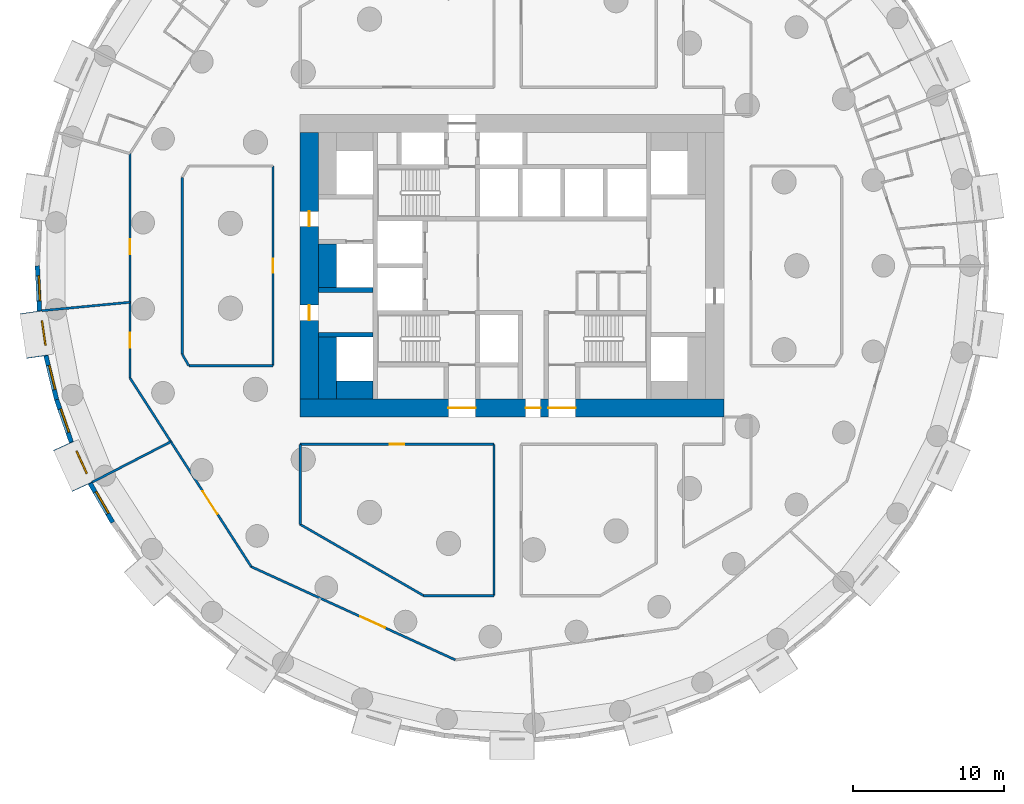
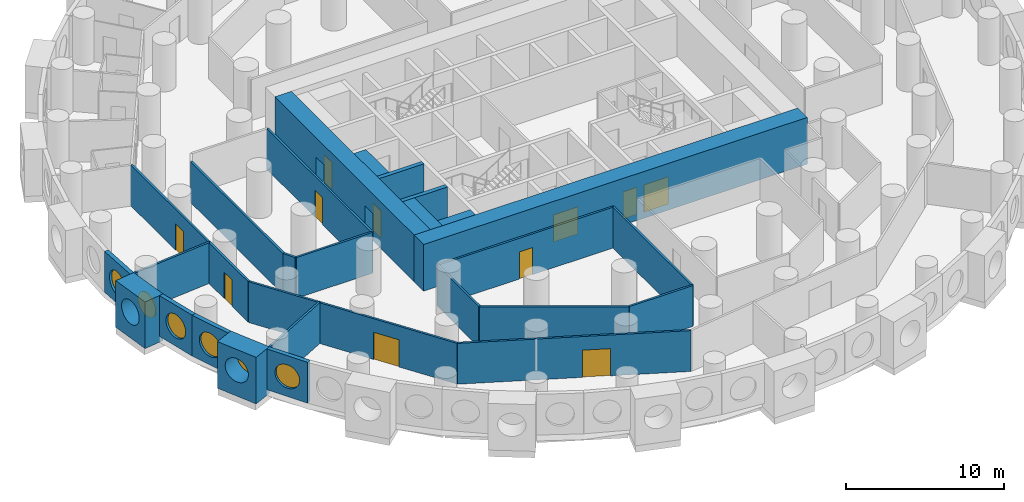
# One storey, part 3 of 12: 27 walls, 11 doors, 6 windows, 17 openings.
"""IFC4 building model written with IfcOpenShell, lengths in metres."""

from ifc_helpers import new_model, si_unit, direction, frame, frame_2d, origin, origin_2d, place, context, subcontext, project, spatial, rectangle, circle, extrude, material, layer, layer_set, type_object, element, fill, save


model = new_model("IFC4")

# Units and contexts
model_context = context("Model", 3, precision=1e-05, world=origin(), true_north=direction((0.0, 1.0)))
body_context = subcontext(model_context, "Body", "Model", "MODEL_VIEW")
ifc_project = project(units=[si_unit("LENGTHUNIT", "METRE"), si_unit("AREAUNIT", "SQUARE_METRE"), si_unit("VOLUMEUNIT", "CUBIC_METRE"), si_unit("PLANEANGLEUNIT", "RADIAN"), si_unit("MASSUNIT", "GRAM", prefix="KILO")], contexts=[model_context])

# Site, building, storey
site_placement = place(None, origin())
site = spatial("IfcSite", under=ifc_project, at=site_placement, CompositionType="ELEMENT")
building_placement = place(site_placement, origin())
building = spatial("IfcBuilding", under=site, at=building_placement, Name="Tracery Tower", CompositionType="ELEMENT")
storey_placement = place(building_placement, frame((0.0, 0.0, 46.199951171875)))
storey = spatial("IfcBuildingStorey", under=building, at=storey_placement, Name="L10", CompositionType="ELEMENT", Elevation=46.199951171875)

# Walls
ifc_material_1 = material(Name="Concrete C60/75", Category="concrete")
ifc_layer_1 = layer(ifc_material_1, 1.199951171875)
ifc_layer_set_1 = layer_set([ifc_layer_1], Name="Core strip wall 1200 C60")
wall_type_1 = type_object("IfcWallType", Name="Core strip wall 1200 C60", PredefinedType="SOLIDWALL", material=ifc_layer_set_1)
wall_1_placement = place(storey_placement, frame((-12.199951171875, -8.800048828125, 0.0), z_axis=(0.0, 0.0, 1.0), x_axis=(0.0, 1.0, 0.0)))
element("IfcWall", 1, at=wall_1_placement, inside=storey, type_object=wall_type_1, Name="L10 wing strip -1 -9.4", PredefinedType="SOLIDWALL", context=body_context, shape_type="SweptSolid", body=[
    extrude(rectangle(XDim=4.10009765625, YDim=1.199951171875, at=frame_2d((2.050048828125, 0.0))), origin(), (0.0, 0.0, 1.0), 3.150146484375),
])
wall_2_placement = place(storey_placement, frame((-12.199951171875, -1.449951171875, 0.0), z_axis=(0.0, 0.0, 1.0), x_axis=(0.0, 1.0, 0.0)))
element("IfcWall", 2, at=wall_2_placement, inside=storey, type_object=wall_type_1, Name="L10 wing strip -1 -1.6", PredefinedType="SOLIDWALL", context=body_context, shape_type="SweptSolid", body=[
    extrude(rectangle(XDim=2.89990234375, YDim=1.199951171875, at=frame_2d((1.449951171875, 0.0))), origin(), (0.0, 0.0, 1.0), 3.150146484375),
])
wall_3_placement = place(storey_placement, frame((-11.60009765625, -8.199951171875, 0.0), z_axis=(0.0, 0.0, 1.0), x_axis=(1.0, 0.0, 0.0)))
element("IfcWall", 3, at=wall_3_placement, inside=storey, type_object=wall_type_1, Name="L10 wing corner -1 -8.2", PredefinedType="SOLIDWALL", context=body_context, shape_type="SweptSolid", body=[
    extrude(rectangle(XDim=2.400146484375, YDim=1.199951171875, at=frame_2d((1.2001953125, 0.0))), origin(), (0.0, 0.0, 1.0), 3.150146484375),
])

# Wall, openings, doors
ifc_material_2 = material(Name="Concrete C60/75", Category="concrete")
ifc_layer_2 = layer(ifc_material_2, 1.199951171875)
ifc_layer_set_2 = layer_set([ifc_layer_2], Name="Core wall 1200 C60")
wall_type_2 = type_object("IfcWallType", Name="Core wall 1200 C60", PredefinedType="SOLIDWALL", material=ifc_layer_set_2)
wall_4_placement = place(storey_placement, frame((-14.0, -9.39990234375, 0.0), z_axis=(0.0, 0.0, 1.0), x_axis=(1.0, 0.0, 0.0)))
wall_4 = element("IfcWall", 4, at=wall_4_placement, inside=storey, type_object=wall_type_2, Name="L10 outer S", PredefinedType="SOLIDWALL", context=body_context, shape_type="SweptSolid", body=[
    extrude(rectangle(XDim=28.0, YDim=1.199951171875, at=frame_2d((14.0, 0.0))), origin(), (0.0, 0.0, 1.0), 3.60009765625),
])
opening_1_placement = place(wall_4_placement, frame((14.89990234375, 0.0, 0.0)))
opening_1 = element("IfcOpeningElement", 5, at=opening_1_placement, cuts=wall_4, Name="Opening KD16", PredefinedType="OPENING", context=body_context, shape_type="SweptSolid", body=[
    extrude(rectangle(XDim=1.0, YDim=2.10009765625, at=frame_2d((0.5, 1.050048828125))), frame((0.0, 0.60009765625, 0.0), z_axis=(0.0, -1.0, 0.0), x_axis=(1.0, 0.0, 0.0)), (0.0, 0.0, 1.0), 1.199951171875),
])
opening_2_placement = place(wall_4_placement, frame((9.800048828125, 0.0, 0.0)))
opening_2 = element("IfcOpeningElement", 6, at=opening_2_placement, cuts=wall_4, Name="Opening KD13", PredefinedType="OPENING", context=body_context, shape_type="SweptSolid", body=[
    extrude(rectangle(XDim=1.800048828125, YDim=2.10009765625, at=frame_2d((0.89990234375, 1.050048828125))), frame((0.0, 0.60009765625, 0.0), z_axis=(0.0, -1.0, 0.0), x_axis=(1.0, 0.0, 0.0)), (0.0, 0.0, 1.0), 1.199951171875),
])
opening_3_placement = place(wall_4_placement, frame((16.39990234375, 0.0, 0.0)))
opening_3 = element("IfcOpeningElement", 7, at=opening_3_placement, cuts=wall_4, Name="Opening KD13", PredefinedType="OPENING", context=body_context, shape_type="SweptSolid", body=[
    extrude(rectangle(XDim=1.800048828125, YDim=2.10009765625, at=frame_2d((0.89990234375, 1.050048828125))), frame((0.0, 0.60009765625, 0.0), z_axis=(0.0, -1.0, 0.0), x_axis=(1.0, 0.0, 0.0)), (0.0, 0.0, 1.0), 1.199951171875),
])
ifc_material_3 = material(Name="Steel fire door", Category="steel")
door_type_1 = type_object("IfcDoorType", Name="Core exit door 1000", OperationType="NOTDEFINED", PredefinedType="DOOR", material=ifc_material_3)
door_1_placement = place(opening_1_placement, origin())
door_1 = element("IfcDoor", 8, at=door_1_placement, inside=storey, type_object=door_type_1, Name="Core exit door", OperationType="SINGLE_SWING_LEFT", OverallHeight=2.10009765625, OverallWidth=1.0, PredefinedType="DOOR", context=body_context, shape_type="SweptSolid", body=[
    extrude(rectangle(XDim=1.0, YDim=2.10009765625, at=frame_2d((0.5, 1.050048828125))), frame((0.0, 0.02490234375, 0.0), z_axis=(0.0, -1.0, 0.0), x_axis=(1.0, 0.0, 0.0)), (0.0, 0.0, 1.0), 0.050048828125),
])
fill(opening_1, door_1)
ifc_material_4 = material(Name="Steel fire door", Category="steel")
door_type_2 = type_object("IfcDoorType", Name="Core exit door 1800 double", OperationType="NOTDEFINED", PredefinedType="DOOR", material=ifc_material_4)
door_2_placement = place(opening_2_placement, origin())
door_2 = element("IfcDoor", 9, at=door_2_placement, inside=storey, type_object=door_type_2, Name="Core exit door", OperationType="DOUBLE_DOOR_SINGLE_SWING", OverallHeight=2.10009765625, OverallWidth=1.800048828125, PredefinedType="DOOR", context=body_context, shape_type="SweptSolid", body=[
    extrude(rectangle(XDim=1.800048828125, YDim=2.10009765625, at=frame_2d((0.89990234375, 1.050048828125))), frame((0.0, 0.02490234375, 0.0), z_axis=(0.0, -1.0, 0.0), x_axis=(1.0, 0.0, 0.0)), (0.0, 0.0, 1.0), 0.050048828125),
])
fill(opening_2, door_2)
door_3_placement = place(opening_3_placement, origin())
door_3 = element("IfcDoor", 10, at=door_3_placement, inside=storey, type_object=door_type_2, Name="Core exit door", OperationType="DOUBLE_DOOR_SINGLE_SWING", OverallHeight=2.10009765625, OverallWidth=1.800048828125, PredefinedType="DOOR", context=body_context, shape_type="SweptSolid", body=[
    extrude(rectangle(XDim=1.800048828125, YDim=2.10009765625, at=frame_2d((0.89990234375, 1.050048828125))), frame((0.0, 0.02490234375, 0.0), z_axis=(0.0, -1.0, 0.0), x_axis=(1.0, 0.0, 0.0)), (0.0, 0.0, 1.0), 0.050048828125),
])
fill(opening_3, door_3)

wall_5_placement = place(storey_placement, frame((-13.39990234375, -8.800048828125, 0.0), z_axis=(0.0, 0.0, 1.0), x_axis=(0.0, 1.0, 0.0)))
wall_5 = element("IfcWall", 11, at=wall_5_placement, inside=storey, type_object=wall_type_2, Name="L10 outer W", PredefinedType="SOLIDWALL", context=body_context, shape_type="SweptSolid", body=[
    extrude(rectangle(XDim=17.60009765625, YDim=1.199951171875, at=frame_2d((8.800048828125, 0.0))), origin(), (0.0, 0.0, 1.0), 3.60009765625),
])
opening_4_placement = place(wall_5_placement, frame((5.199951171875, 0.0, 0.0)))
opening_4 = element("IfcOpeningElement", 12, at=opening_4_placement, cuts=wall_5, Name="Opening KD18", PredefinedType="OPENING", context=body_context, shape_type="SweptSolid", body=[
    extrude(rectangle(XDim=1.0, YDim=2.10009765625, at=frame_2d((0.5, 1.050048828125))), frame((0.0, 0.60009765625, 0.0), z_axis=(0.0, -1.0, 0.0), x_axis=(1.0, 0.0, 0.0)), (0.0, 0.0, 1.0), 1.199951171875),
])
opening_5_placement = place(wall_5_placement, frame((11.39990234375, 0.0, 0.0)))
opening_5 = element("IfcOpeningElement", 13, at=opening_5_placement, cuts=wall_5, Name="Opening KD18", PredefinedType="OPENING", context=body_context, shape_type="SweptSolid", body=[
    extrude(rectangle(XDim=1.0, YDim=2.10009765625, at=frame_2d((0.5, 1.050048828125))), frame((0.0, 0.60009765625, 0.0), z_axis=(0.0, -1.0, 0.0), x_axis=(1.0, 0.0, 0.0)), (0.0, 0.0, 1.0), 1.199951171875),
])
door_4_placement = place(opening_4_placement, origin())
door_4 = element("IfcDoor", 14, at=door_4_placement, inside=storey, type_object=door_type_1, Name="Core exit door", OperationType="DOUBLE_DOOR_SINGLE_SWING", OverallHeight=2.10009765625, OverallWidth=1.0, PredefinedType="DOOR", context=body_context, shape_type="SweptSolid", body=[
    extrude(rectangle(XDim=1.0, YDim=2.10009765625, at=frame_2d((0.5, 1.050048828125))), frame((0.0, 0.02490234375, 0.0), z_axis=(0.0, -1.0, 0.0), x_axis=(1.0, 0.0, 0.0)), (0.0, 0.0, 1.0), 0.050048828125),
])
fill(opening_4, door_4)
door_5_placement = place(opening_5_placement, origin())
door_5 = element("IfcDoor", 15, at=door_5_placement, inside=storey, type_object=door_type_1, Name="Core exit door", OperationType="DOUBLE_DOOR_SINGLE_SWING", OverallHeight=2.10009765625, OverallWidth=1.0, PredefinedType="DOOR", context=body_context, shape_type="SweptSolid", body=[
    extrude(rectangle(XDim=1.0, YDim=2.10009765625, at=frame_2d((0.5, 1.050048828125))), frame((0.0, 0.02490234375, 0.0), z_axis=(0.0, -1.0, 0.0), x_axis=(1.0, 0.0, 0.0)), (0.0, 0.0, 1.0), 0.050048828125),
])
fill(opening_5, door_5)

# Wall, opening, window
ifc_material_5 = material(Name="Precast concrete C50/60", Category="concrete")
ifc_layer_3 = layer(ifc_material_5, 1.449951171875)
ifc_layer_set_3 = layer_set([ifc_layer_3], Name="Deep-set bay unit 3000 x 3600, slab edge 450")
wall_type_3 = type_object("IfcWallType", Name="Deep-set bay unit 3000 x 3600, slab edge 450", PredefinedType="ELEMENTEDWALL", material=ifc_layer_set_3)
wall_6_placement = place(storey_placement, frame((-31.802490234375, -3.05712890625, -0.449951171875), z_axis=(0.0, 0.0, 1.0), x_axis=(0.142332746704, -0.989818866872, 0.0)))
wall_6 = element("IfcWall", 16, at=wall_6_placement, inside=storey, type_object=wall_type_3, Name="Deep-set bay unit 35 at L10", PredefinedType="ELEMENTEDWALL", context=body_context, shape_type="SweptSolid", body=[
    extrude(rectangle(XDim=3.0, YDim=1.449951171875, at=frame_2d((1.5, 0.0))), origin(), (0.0, 0.0, 1.0), 3.60009765625),
])
opening_6_placement = place(wall_6_placement, frame((1.5, 0.0, 2.0)))
opening_6 = element("IfcOpeningElement", 17, at=opening_6_placement, cuts=wall_6, Name="Opening WN1", PredefinedType="OPENING", context=body_context, shape_type="SweptSolid", body=[
    extrude(circle(Radius=0.9000244140625, at=origin_2d()), frame((0.0, 0.73486328125, 0.0), z_axis=(0.0, -1.0, 0.0), x_axis=(1.0, 0.0, 0.0)), (0.0, 0.0, 1.0), 1.469970703125),
])
ifc_material_6 = material(Name="Aluminium frame with tinted double glazing", Category="aluminium")
window_type = type_object("IfcWindowType", Name="Round window 1800", PartitioningType="SINGLE_PANEL", PredefinedType="WINDOW", material=ifc_material_6)
window_1_placement = place(opening_6_placement, origin())
window_1 = element("IfcWindow", 18, at=window_1_placement, inside=storey, type_object=window_type, Name="Round window 35 at L10", OverallHeight=1.800048828125, OverallWidth=1.800048828125, PartitioningType="SINGLE_PANEL", PredefinedType="WINDOW", context=body_context, shape_type="SweptSolid", body=[
    extrude(circle(Radius=0.9000244140625, at=origin_2d()), frame((0.0, 0.69482421875, 0.0), z_axis=(0.0, -1.0, 0.0), x_axis=(1.0, 0.0, 0.0)), (0.0, 0.0, 1.0), 0.10009765625),
])
fill(opening_6, window_1)

wall_7_placement = place(storey_placement, frame((-29.653076171875, -11.89306640625, -0.449951171875), z_axis=(0.0, 0.0, 1.0), x_axis=(0.415427028395, -0.909626508012, 0.0)))
wall_7 = element("IfcWall", 19, at=wall_7_placement, inside=storey, type_object=wall_type_3, Name="Deep-set bay unit 38 at L10", PredefinedType="ELEMENTEDWALL", context=body_context, shape_type="SweptSolid", body=[
    extrude(rectangle(XDim=3.000244140625, YDim=1.449951171875, at=frame_2d((1.5, 0.0))), origin(), (0.0, 0.0, 1.0), 3.60009765625),
])
opening_7_placement = place(wall_7_placement, frame((1.5, 0.0, 2.0)))
opening_7 = element("IfcOpeningElement", 20, at=opening_7_placement, cuts=wall_7, Name="Opening WN1", PredefinedType="OPENING", context=body_context, shape_type="SweptSolid", body=[
    extrude(circle(Radius=0.9000244140625, at=origin_2d()), frame((0.0, 0.73486328125, 0.0), z_axis=(0.0, -1.0, 0.0), x_axis=(1.0, 0.0, 0.0)), (0.0, 0.0, 1.0), 1.469970703125),
])
window_2_placement = place(opening_7_placement, origin())
window_2 = element("IfcWindow", 21, at=window_2_placement, inside=storey, type_object=window_type, Name="Round window 38 at L10", OverallHeight=1.800048828125, OverallWidth=1.800048828125, PartitioningType="SINGLE_PANEL", PredefinedType="WINDOW", context=body_context, shape_type="SweptSolid", body=[
    extrude(circle(Radius=0.9000244140625, at=origin_2d()), frame((0.0, 0.69482421875, 0.0), z_axis=(0.0, -1.0, 0.0), x_axis=(1.0, 0.0, 0.0)), (0.0, 0.0, 1.0), 0.10009765625),
])
fill(opening_7, window_2)

ifc_material_7 = material(Name="Precast concrete C50/60", Category="concrete")
ifc_layer_4 = layer(ifc_material_7, 0.300048828125)
ifc_layer_set_4 = layer_set([ifc_layer_4], Name="Facade panel 3000 x 3150")
wall_type_4 = type_object("IfcWallType", Name="Facade panel 3000 x 3150", PredefinedType="SOLIDWALL", material=ifc_layer_set_4)
wall_8_placement = place(storey_placement, frame((-31.37451171875, 0.0, 0.0), z_axis=(0.0, 0.0, 1.0), x_axis=(0.047604077644, -0.998866283239, 0.0)))
wall_8 = element("IfcWall", 22, at=wall_8_placement, inside=storey, type_object=wall_type_4, Name="Facade panel 34 at L10", PredefinedType="SOLIDWALL", context=body_context, shape_type="SweptSolid", body=[
    extrude(rectangle(XDim=2.979736328125, YDim=0.300048828125, at=frame_2d((1.48974609375, 0.0))), origin(), (0.0, 0.0, 1.0), 3.150146484375),
])
opening_8_placement = place(wall_8_placement, frame((1.48974609375, 0.0, 1.5498046875)))
opening_8 = element("IfcOpeningElement", 23, at=opening_8_placement, cuts=wall_8, Name="Opening WN1", PredefinedType="OPENING", context=body_context, shape_type="SweptSolid", body=[
    extrude(circle(Radius=0.9000244140625, at=origin_2d()), frame((0.0, 0.159912109375, 0.0), z_axis=(0.0, -1.0, 0.0), x_axis=(1.0, 0.0, 0.0)), (0.0, 0.0, 1.0), 0.320068359375),
])
window_3_placement = place(opening_8_placement, origin())
window_3 = element("IfcWindow", 24, at=window_3_placement, inside=storey, type_object=window_type, Name="Round window 34 at L10", OverallHeight=1.800048828125, OverallWidth=1.800048828125, PartitioningType="SINGLE_PANEL", PredefinedType="WINDOW", context=body_context, shape_type="SweptSolid", body=[
    extrude(circle(Radius=0.9000244140625, at=origin_2d()), frame((0.0, 0.1201171875, 0.0), z_axis=(0.0, -1.0, 0.0), x_axis=(1.0, 0.0, 0.0)), (0.0, 0.0, 1.0), 0.10009765625),
])
fill(opening_8, window_3)

wall_9_placement = place(storey_placement, frame((-30.805908203125, -5.943603515625, 0.0), z_axis=(0.0, 0.0, 1.0), x_axis=(0.235743081534, -0.971815414319, 0.0)))
wall_9 = element("IfcWall", 25, at=wall_9_placement, inside=storey, type_object=wall_type_4, Name="Facade panel 36 at L10", PredefinedType="SOLIDWALL", context=body_context, shape_type="SweptSolid", body=[
    extrude(rectangle(XDim=2.9794921875, YDim=0.300048828125, at=frame_2d((1.48974609375, 0.0))), origin(), (0.0, 0.0, 1.0), 3.150146484375),
])
opening_9_placement = place(wall_9_placement, frame((1.48974609375, 0.0, 1.5498046875)))
opening_9 = element("IfcOpeningElement", 26, at=opening_9_placement, cuts=wall_9, Name="Opening WN1", PredefinedType="OPENING", context=body_context, shape_type="SweptSolid", body=[
    extrude(circle(Radius=0.9000244140625, at=origin_2d()), frame((0.0, 0.159912109375, 0.0), z_axis=(0.0, -1.0, 0.0), x_axis=(1.0, 0.0, 0.0)), (0.0, 0.0, 1.0), 0.320068359375),
])
window_4_placement = place(opening_9_placement, origin())
window_4 = element("IfcWindow", 27, at=window_4_placement, inside=storey, type_object=window_type, Name="Round window 36 at L10", OverallHeight=1.800048828125, OverallWidth=1.800048828125, PartitioningType="SINGLE_PANEL", PredefinedType="WINDOW", context=body_context, shape_type="SweptSolid", body=[
    extrude(circle(Radius=0.9000244140625, at=origin_2d()), frame((0.0, 0.1201171875, 0.0), z_axis=(0.0, -1.0, 0.0), x_axis=(1.0, 0.0, 0.0)), (0.0, 0.0, 1.0), 0.10009765625),
])
fill(opening_9, window_4)

wall_10_placement = place(storey_placement, frame((-30.103515625, -8.839111328125, 0.0), z_axis=(0.0, 0.0, 1.0), x_axis=(0.327071167136, -0.944999709856, 0.0)))
wall_10 = element("IfcWall", 28, at=wall_10_placement, inside=storey, type_object=wall_type_4, Name="Facade panel 37 at L10", PredefinedType="SOLIDWALL", context=body_context, shape_type="SweptSolid", body=[
    extrude(rectangle(XDim=2.979736328125, YDim=0.300048828125, at=frame_2d((1.48974609375, 0.0))), origin(), (0.0, 0.0, 1.0), 3.150146484375),
])
opening_10_placement = place(wall_10_placement, frame((1.48974609375, 0.0, 1.5498046875)))
opening_10 = element("IfcOpeningElement", 29, at=opening_10_placement, cuts=wall_10, Name="Opening WN1", PredefinedType="OPENING", context=body_context, shape_type="SweptSolid", body=[
    extrude(circle(Radius=0.9000244140625, at=origin_2d()), frame((0.0, 0.159912109375, 0.0), z_axis=(0.0, -1.0, 0.0), x_axis=(1.0, 0.0, 0.0)), (0.0, 0.0, 1.0), 0.320068359375),
])
window_5_placement = place(opening_10_placement, origin())
window_5 = element("IfcWindow", 30, at=window_5_placement, inside=storey, type_object=window_type, Name="Round window 37 at L10", OverallHeight=1.800048828125, OverallWidth=1.800048828125, PartitioningType="SINGLE_PANEL", PredefinedType="WINDOW", context=body_context, shape_type="SweptSolid", body=[
    extrude(circle(Radius=0.9000244140625, at=origin_2d()), frame((0.0, 0.1201171875, 0.0), z_axis=(0.0, -1.0, 0.0), x_axis=(1.0, 0.0, 0.0)), (0.0, 0.0, 1.0), 0.10009765625),
])
fill(opening_10, window_5)

wall_11_placement = place(storey_placement, frame((-27.8837890625, -14.3818359375, 0.0), z_axis=(0.0, 0.0, 1.0), x_axis=(0.500025049464, -0.866010940986, 0.0)))
wall_11 = element("IfcWall", 31, at=wall_11_placement, inside=storey, type_object=wall_type_4, Name="Facade panel 39 at L10", PredefinedType="SOLIDWALL", context=body_context, shape_type="SweptSolid", body=[
    extrude(rectangle(XDim=2.979736328125, YDim=0.300048828125, at=frame_2d((1.48974609375, 0.0))), origin(), (0.0, 0.0, 1.0), 3.150146484375),
])
opening_11_placement = place(wall_11_placement, frame((1.48974609375, 0.0, 1.5498046875)))
opening_11 = element("IfcOpeningElement", 32, at=opening_11_placement, cuts=wall_11, Name="Opening WN1", PredefinedType="OPENING", context=body_context, shape_type="SweptSolid", body=[
    extrude(circle(Radius=0.9000244140625, at=origin_2d()), frame((0.0, 0.159912109375, 0.0), z_axis=(0.0, -1.0, 0.0), x_axis=(1.0, 0.0, 0.0)), (0.0, 0.0, 1.0), 0.320068359375),
])
window_6_placement = place(opening_11_placement, origin())
window_6 = element("IfcWindow", 33, at=window_6_placement, inside=storey, type_object=window_type, Name="Round window 39 at L10", OverallHeight=1.800048828125, OverallWidth=1.800048828125, PartitioningType="SINGLE_PANEL", PredefinedType="WINDOW", context=body_context, shape_type="SweptSolid", body=[
    extrude(circle(Radius=0.9000244140625, at=origin_2d()), frame((0.0, 0.1201171875, 0.0), z_axis=(0.0, -1.0, 0.0), x_axis=(1.0, 0.0, 0.0)), (0.0, 0.0, 1.0), 0.10009765625),
])
fill(opening_11, window_6)

# Walls
ifc_material_8 = material(Name="Plasterboard on steel studs", Category="steel")
ifc_layer_5 = layer(ifc_material_8, 0.14990234375)
ifc_layer_set_5 = layer_set([ifc_layer_5], Name="Partition 150 acoustic unit wall")
wall_type_5 = type_object("IfcWallType", Name="Partition 150 acoustic unit wall", PredefinedType="PARTITIONING", material=ifc_layer_set_5)
wall_12_placement = place(storey_placement, frame((-31.0830078125, -2.968017578125, 0.0), z_axis=(0.0, 0.0, 1.0), x_axis=(0.995465070325, 0.095127775983, 0.0)))
element("IfcWall", 34, at=wall_12_placement, inside=storey, type_object=wall_type_5, Name="Unit wall RA2-118", PredefinedType="PARTITIONING", context=body_context, shape_type="SweptSolid", body=[
    extrude(rectangle(XDim=5.856689453125, YDim=0.14990234375, at=frame_2d((2.92822265625, 0.0))), origin(), (0.0, 0.0, 1.0), 3.150146484375),
])
wall_13_placement = place(storey_placement, frame((-27.7529296875, -14.30810546875, 0.0), z_axis=(0.0, 0.0, 1.0), x_axis=(0.88877955153, 0.45833493079, 0.0)))
element("IfcWall", 35, at=wall_13_placement, inside=storey, type_object=wall_type_5, Name="Unit wall RA2-119", PredefinedType="PARTITIONING", context=body_context, shape_type="SweptSolid", body=[
    extrude(rectangle(XDim=5.856201171875, YDim=0.14990234375, at=frame_2d((2.92822265625, 0.0))), origin(), (0.0, 0.0, 1.0), 3.150146484375),
])

# Wall, opening, door
ifc_material_9 = material(Name="Plasterboard on steel studs", Category="steel")
ifc_layer_6 = layer(ifc_material_9, 0.14990234375)
ifc_layer_set_6 = layer_set([ifc_layer_6], Name="Partition 150 corridor wall")
wall_type_6 = type_object("IfcWallType", Name="Partition 150 corridor wall", PredefinedType="PARTITIONING", material=ifc_layer_set_6)
wall_14_placement = place(storey_placement, frame((-14.00390625, -11.800048828125, 0.0), z_axis=(0.0, 0.0, 1.0), x_axis=(1.0, 0.0, 0.0)))
wall_14 = element("IfcWall", 36, at=wall_14_placement, inside=storey, type_object=wall_type_6, Name="Corridor wall RA2-005", PredefinedType="PARTITIONING", context=body_context, shape_type="SweptSolid", body=[
    extrude(rectangle(XDim=12.81591796875, YDim=0.14990234375, at=frame_2d((6.407958984375, 0.0))), origin(), (0.0, 0.0, 1.0), 3.150146484375),
])
opening_12_placement = place(wall_14_placement, frame((5.93310546875, 0.0, 0.0)))
opening_12 = element("IfcOpeningElement", 37, at=opening_12_placement, cuts=wall_14, Name="Opening RA2-04", PredefinedType="OPENING", context=body_context, shape_type="SweptSolid", body=[
    extrude(rectangle(XDim=0.949951171875, YDim=2.10009765625, at=frame_2d((0.47509765625, 1.050048828125))), frame((0.0, 0.074951171875, 0.0), z_axis=(0.0, -1.0, 0.0), x_axis=(1.0, 0.0, 0.0)), (0.0, 0.0, 1.0), 0.14990234375),
])
ifc_material_10 = material(Name="Timber door leaf", Category="wood")
door_type_3 = type_object("IfcDoorType", Name="Door store 950", OperationType="NOTDEFINED", PredefinedType="DOOR", material=ifc_material_10)
door_6_placement = place(opening_12_placement, origin())
door_6 = element("IfcDoor", 38, at=door_6_placement, inside=storey, type_object=door_type_3, Name="Store door RA2-04", OperationType="SINGLE_SWING_RIGHT", OverallHeight=2.10009765625, OverallWidth=0.949951171875, PredefinedType="DOOR", context=body_context, shape_type="SweptSolid", body=[
    extrude(rectangle(XDim=0.949951171875, YDim=2.10009765625, at=frame_2d((0.47509765625, 1.050048828125))), frame((0.0, 0.02490234375, 0.0), z_axis=(0.0, -1.0, 0.0), x_axis=(1.0, 0.0, 0.0)), (0.0, 0.0, 1.0), 0.050048828125),
])
fill(opening_12, door_6)

wall_15_placement = place(storey_placement, frame((-15.800048828125, -6.60400390625, 0.0), z_axis=(0.0, 0.0, 1.0), x_axis=(0.0, 1.0, 0.0)))
wall_15 = element("IfcWall", 39, at=wall_15_placement, inside=storey, type_object=wall_type_6, Name="Corridor wall RA2-012", PredefinedType="PARTITIONING", context=body_context, shape_type="SweptSolid", body=[
    extrude(rectangle(XDim=13.2080078125, YDim=0.14990234375, at=frame_2d((6.60400390625, 0.0))), origin(), (0.0, 0.0, 1.0), 3.150146484375),
])
opening_13_placement = place(wall_15_placement, frame((6.12890625, 0.0, 0.0)))
opening_13 = element("IfcOpeningElement", 40, at=opening_13_placement, cuts=wall_15, Name="Opening RA2-08", PredefinedType="OPENING", context=body_context, shape_type="SweptSolid", body=[
    extrude(rectangle(XDim=0.949951171875, YDim=2.10009765625, at=frame_2d((0.47509765625, 1.050048828125))), frame((0.0, 0.074951171875, 0.0), z_axis=(0.0, -1.0, 0.0), x_axis=(1.0, 0.0, 0.0)), (0.0, 0.0, 1.0), 0.14990234375),
])
door_7_placement = place(opening_13_placement, origin())
door_7 = element("IfcDoor", 41, at=door_7_placement, inside=storey, type_object=door_type_3, Name="Store door RA2-08", OperationType="SINGLE_SWING_LEFT", OverallHeight=2.10009765625, OverallWidth=0.949951171875, PredefinedType="DOOR", context=body_context, shape_type="SweptSolid", body=[
    extrude(rectangle(XDim=0.949951171875, YDim=2.10009765625, at=frame_2d((0.47509765625, 1.050048828125))), frame((0.0, 0.02490234375, 0.0), z_axis=(0.0, -1.0, 0.0), x_axis=(1.0, 0.0, 0.0)), (0.0, 0.0, 1.0), 0.050048828125),
])
fill(opening_13, door_7)

# Walls
wall_16_placement = place(storey_placement, frame((-14.0, -17.092041015625, 0.0), z_axis=(0.0, 0.0, 1.0), x_axis=(0.0, 1.0, 0.0)))
element("IfcWall", 42, at=wall_16_placement, inside=storey, type_object=wall_type_6, Name="Corridor wall RA2-038", PredefinedType="PARTITIONING", context=body_context, shape_type="SweptSolid", body=[
    extrude(rectangle(XDim=5.2919921875, YDim=0.14990234375, at=frame_2d((2.64599609375, 0.0))), origin(), (0.0, 0.0, 1.0), 3.150146484375),
])
wall_17_placement = place(storey_placement, frame((-21.802001953125, -5.842041015625, 0.0), z_axis=(0.0, 0.0, 1.0), x_axis=(0.0, 1.0, 0.0)))
element("IfcWall", 43, at=wall_17_placement, inside=storey, type_object=wall_type_6, Name="Corridor wall RA2-041", PredefinedType="PARTITIONING", context=body_context, shape_type="SweptSolid", body=[
    extrude(rectangle(XDim=11.68408203125, YDim=0.14990234375, at=frame_2d((5.842041015625, 0.0))), origin(), (0.0, 0.0, 1.0), 3.150146484375),
])
wall_18_placement = place(storey_placement, frame((-21.802001953125, -5.842041015625, 0.0), z_axis=(0.0, 0.0, 1.0), x_axis=(0.500277597875, -0.865865073245, 0.0)))
element("IfcWall", 44, at=wall_18_placement, inside=storey, type_object=wall_type_6, Name="Corridor wall RA2-042", PredefinedType="PARTITIONING", context=body_context, shape_type="SweptSolid", body=[
    extrude(rectangle(XDim=0.87548828125, YDim=0.14990234375, at=frame_2d((0.437744140625, 0.0))), origin(), (0.0, 0.0, 1.0), 3.150146484375),
])
wall_19_placement = place(storey_placement, frame((-21.364013671875, -6.60009765625, 0.0), z_axis=(0.0, 0.0, 1.0), x_axis=(1.0, 0.0, 0.0)))
element("IfcWall", 45, at=wall_19_placement, inside=storey, type_object=wall_type_6, Name="Corridor wall RA2-043", PredefinedType="PARTITIONING", context=body_context, shape_type="SweptSolid", body=[
    extrude(rectangle(XDim=5.56396484375, YDim=0.14990234375, at=frame_2d((2.781982421875, 0.0))), origin(), (0.0, 0.0, 1.0), 3.150146484375),
])

# Wall, openings, doors
wall_20_placement = place(storey_placement, frame((-25.2529296875, -7.4150390625, 0.0), z_axis=(0.0, 0.0, 1.0), x_axis=(0.0, 1.0, 0.0)))
wall_20 = element("IfcWall", 46, at=wall_20_placement, inside=storey, type_object=wall_type_6, Name="Corridor wall RA2-044", PredefinedType="PARTITIONING", context=body_context, shape_type="SweptSolid", body=[
    extrude(rectangle(XDim=14.830078125, YDim=0.14990234375, at=frame_2d((7.4150390625, 0.0))), origin(), (0.0, 0.0, 1.0), 3.150146484375),
])
opening_14_placement = place(wall_20_placement, frame((8.1650390625, 0.0, 0.0)))
opening_14 = element("IfcOpeningElement", 47, at=opening_14_placement, cuts=wall_20, Name="Opening RA2-45", PredefinedType="OPENING", context=body_context, shape_type="SweptSolid", body=[
    extrude(rectangle(XDim=1.0, YDim=2.0400390625, at=frame_2d((0.5, 1.02001953125))), frame((0.0, 0.074951171875, 0.0), z_axis=(0.0, -1.0, 0.0), x_axis=(1.0, 0.0, 0.0)), (0.0, 0.0, 1.0), 0.14990234375),
])
opening_15_placement = place(wall_20_placement, frame((2.00390625, 0.0, 0.0)))
opening_15 = element("IfcOpeningElement", 48, at=opening_15_placement, cuts=wall_20, Name="Opening RA2-46", PredefinedType="OPENING", context=body_context, shape_type="SweptSolid", body=[
    extrude(rectangle(XDim=1.0, YDim=2.0400390625, at=frame_2d((0.5, 1.02001953125))), frame((0.0, 0.074951171875, 0.0), z_axis=(0.0, -1.0, 0.0), x_axis=(1.0, 0.0, 0.0)), (0.0, 0.0, 1.0), 0.14990234375),
])
ifc_material_11 = material(Name="Timber door leaf", Category="wood")
door_type_4 = type_object("IfcDoorType", Name="Door communal room 1000", OperationType="NOTDEFINED", PredefinedType="DOOR", material=ifc_material_11)
door_8_placement = place(opening_14_placement, origin())
door_8 = element("IfcDoor", 49, at=door_8_placement, inside=storey, type_object=door_type_4, Name="Communal room door RA2-45", OperationType="SINGLE_SWING_LEFT", OverallHeight=2.0400390625, OverallWidth=1.0, PredefinedType="DOOR", context=body_context, shape_type="SweptSolid", body=[
    extrude(rectangle(XDim=1.0, YDim=2.0400390625, at=frame_2d((0.5, 1.02001953125))), frame((0.0, 0.02490234375, 0.0), z_axis=(0.0, -1.0, 0.0), x_axis=(1.0, 0.0, 0.0)), (0.0, 0.0, 1.0), 0.050048828125),
])
fill(opening_14, door_8)
door_9_placement = place(opening_15_placement, origin())
door_9 = element("IfcDoor", 50, at=door_9_placement, inside=storey, type_object=door_type_4, Name="Communal room door RA2-46", OperationType="SINGLE_SWING_RIGHT", OverallHeight=2.0400390625, OverallWidth=1.0, PredefinedType="DOOR", context=body_context, shape_type="SweptSolid", body=[
    extrude(rectangle(XDim=1.0, YDim=2.0400390625, at=frame_2d((0.5, 1.02001953125))), frame((0.0, 0.02490234375, 0.0), z_axis=(0.0, -1.0, 0.0), x_axis=(1.0, 0.0, 0.0)), (0.0, 0.0, 1.0), 0.050048828125),
])
fill(opening_15, door_9)

# Wall, opening, door
wall_21_placement = place(storey_placement, frame((-25.2529296875, -7.4150390625, 0.0), z_axis=(0.0, 0.0, 1.0), x_axis=(0.540656073354, -0.841243728265, 0.0)))
wall_21 = element("IfcWall", 51, at=wall_21_placement, inside=storey, type_object=wall_type_6, Name="Corridor wall RA2-045", PredefinedType="PARTITIONING", context=body_context, shape_type="SweptSolid", body=[
    extrude(rectangle(XDim=14.829345703125, YDim=0.14990234375, at=frame_2d((7.41455078125, 0.0))), origin(), (0.0, 0.0, 1.0), 3.150146484375),
])
opening_16_placement = place(wall_21_placement, frame((8.9033203125, 0.0, 0.0)))
opening_16 = element("IfcOpeningElement", 52, at=opening_16_placement, cuts=wall_21, Name="Opening RA2-47", PredefinedType="OPENING", context=body_context, shape_type="SweptSolid", body=[
    extrude(rectangle(XDim=1.800048828125, YDim=2.10009765625, at=frame_2d((0.89990234375, 1.050048828125))), frame((0.0, 0.074951171875, 0.0), z_axis=(0.0, -1.0, 0.0), x_axis=(1.0, 0.0, 0.0)), (0.0, 0.0, 1.0), 0.14990234375),
])
ifc_material_12 = material(Name="Timber door leaf", Category="wood")
door_type_5 = type_object("IfcDoorType", Name="Door double lounge 1800", OperationType="NOTDEFINED", PredefinedType="DOOR", material=ifc_material_12)
door_10_placement = place(opening_16_placement, origin())
door_10 = element("IfcDoor", 53, at=door_10_placement, inside=storey, type_object=door_type_5, Name="Double lounge door RA2-47", OperationType="DOUBLE_DOOR_SINGLE_SWING", OverallHeight=2.10009765625, OverallWidth=1.800048828125, PredefinedType="DOOR", context=body_context, shape_type="SweptSolid", body=[
    extrude(rectangle(XDim=1.800048828125, YDim=2.10009765625, at=frame_2d((0.89990234375, 1.050048828125))), frame((0.0, 0.02490234375, 0.0), z_axis=(0.0, -1.0, 0.0), x_axis=(1.0, 0.0, 0.0)), (0.0, 0.0, 1.0), 0.050048828125),
])
fill(opening_16, door_10)

# Walls
wall_22_placement = place(storey_placement, frame((-14.0, -17.092041015625, 0.0), z_axis=(0.0, 0.0, 1.0), x_axis=(0.86602719091, -0.499996904595, 0.0)))
element("IfcWall", 54, at=wall_22_placement, inside=storey, type_object=wall_type_6, Name="Corridor wall RA2-046", PredefinedType="PARTITIONING", context=body_context, shape_type="SweptSolid", body=[
    extrude(rectangle(XDim=9.419921875, YDim=0.14990234375, at=frame_2d((4.7099609375, 0.0))), origin(), (0.0, 0.0, 1.0), 3.150146484375),
])
wall_23_placement = place(storey_placement, frame((-5.842041015625, -21.802001953125, 0.0), z_axis=(0.0, 0.0, 1.0), x_axis=(1.0, 0.0, 0.0)))
element("IfcWall", 55, at=wall_23_placement, inside=storey, type_object=wall_type_6, Name="Corridor wall RA2-047", PredefinedType="PARTITIONING", context=body_context, shape_type="SweptSolid", body=[
    extrude(rectangle(XDim=4.650146484375, YDim=0.14990234375, at=frame_2d((2.3251953125, 0.0))), origin(), (0.0, 0.0, 1.0), 3.150146484375),
])
wall_24_placement = place(storey_placement, frame((-1.19189453125, -21.802001953125, 0.0), z_axis=(0.0, 0.0, 1.0), x_axis=(0.0, 1.0, 0.0)))
element("IfcWall", 56, at=wall_24_placement, inside=storey, type_object=wall_type_6, Name="Corridor wall RA2-048", PredefinedType="PARTITIONING", context=body_context, shape_type="SweptSolid", body=[
    extrude(rectangle(XDim=10.001953125, YDim=0.14990234375, at=frame_2d((5.0009765625, 0.0))), origin(), (0.0, 0.0, 1.0), 3.150146484375),
])

# Wall, opening, door
wall_25_placement = place(storey_placement, frame((-17.235107421875, -19.889892578125, 0.0), z_axis=(0.0, 0.0, 1.0), x_axis=(0.909645678785, -0.415385049163, 0.0)))
wall_25 = element("IfcWall", 57, at=wall_25_placement, inside=storey, type_object=wall_type_6, Name="Corridor wall RA2-055", PredefinedType="PARTITIONING", context=body_context, shape_type="SweptSolid", body=[
    extrude(rectangle(XDim=14.829345703125, YDim=0.14990234375, at=frame_2d((7.41455078125, 0.0))), origin(), (0.0, 0.0, 1.0), 3.150146484375),
])
opening_17_placement = place(wall_25_placement, frame((7.914306640625, 0.0, 0.0)))
opening_17 = element("IfcOpeningElement", 58, at=opening_17_placement, cuts=wall_25, Name="Opening RA2-48", PredefinedType="OPENING", context=body_context, shape_type="SweptSolid", body=[
    extrude(rectangle(XDim=1.800048828125, YDim=2.10009765625, at=frame_2d((0.89990234375, 1.050048828125))), frame((0.0, 0.074951171875, 0.0), z_axis=(0.0, -1.0, 0.0), x_axis=(1.0, 0.0, 0.0)), (0.0, 0.0, 1.0), 0.14990234375),
])
door_11_placement = place(opening_17_placement, origin())
door_11 = element("IfcDoor", 59, at=door_11_placement, inside=storey, type_object=door_type_5, Name="Double lounge door RA2-48", OperationType="DOUBLE_DOOR_SINGLE_SWING", OverallHeight=2.10009765625, OverallWidth=1.800048828125, PredefinedType="DOOR", context=body_context, shape_type="SweptSolid", body=[
    extrude(rectangle(XDim=1.800048828125, YDim=2.10009765625, at=frame_2d((0.89990234375, 1.050048828125))), frame((0.0, 0.02490234375, 0.0), z_axis=(0.0, -1.0, 0.0), x_axis=(1.0, 0.0, 0.0)), (0.0, 0.0, 1.0), 0.050048828125),
])
fill(opening_17, door_11)

# Walls
ifc_material_13 = material(Name="Concrete C60/75", Category="concrete")
ifc_layer_7 = layer(ifc_material_13, 0.300048828125)
ifc_layer_set_7 = layer_set([ifc_layer_7], Name="Shaft wall 300 C60")
wall_type_7 = type_object("IfcWallType", Name="Shaft wall 300 C60", PredefinedType="SOLIDWALL", material=ifc_layer_set_7)
for number, where, z_axis, x_axis, name in (
    (60, (-12.800048828125, -4.550048828125, 0.0), (0.0, 0.0, 1.0), (1.0, 0.0, 0.0), "L10 wing shaft wall -1 -4.55"),
    (61, (-12.800048828125, -1.60009765625, 0.0), (0.0, 0.0, 1.0), (1.0, 0.0, 0.0), "L10 wing shaft wall -1 -1.60"),
):
    element("IfcWall", number, at=place(storey_placement, frame(where, z_axis=z_axis, x_axis=x_axis)), inside=storey, type_object=wall_type_7, Name=name, PredefinedType="SOLIDWALL", context=body_context, shape_type="SweptSolid", body=[
        extrude(rectangle(XDim=3.60009765625, YDim=0.300048828125, at=frame_2d((1.800048828125, 0.0))), origin(), (0.0, 0.0, 1.0), 3.150146484375),
    ])

save(model, "model.ifc")
